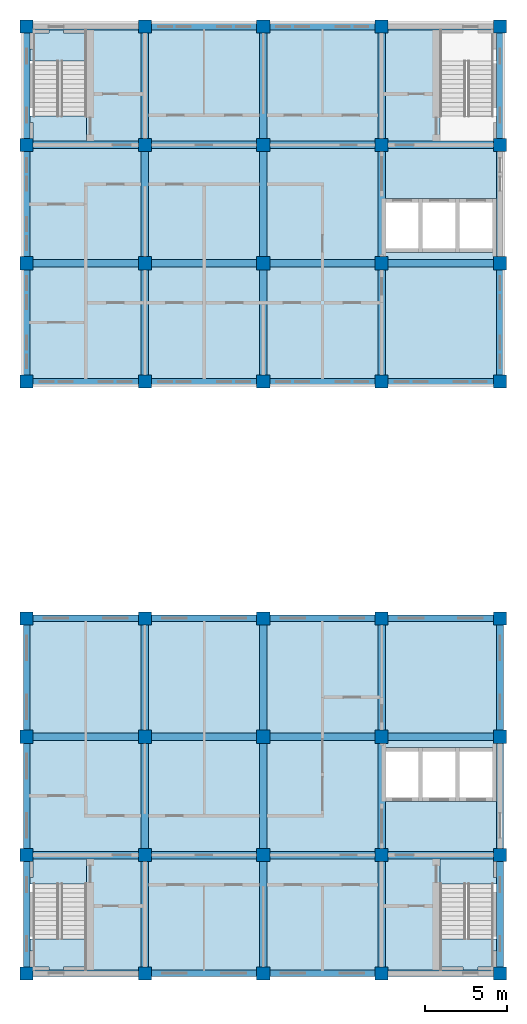
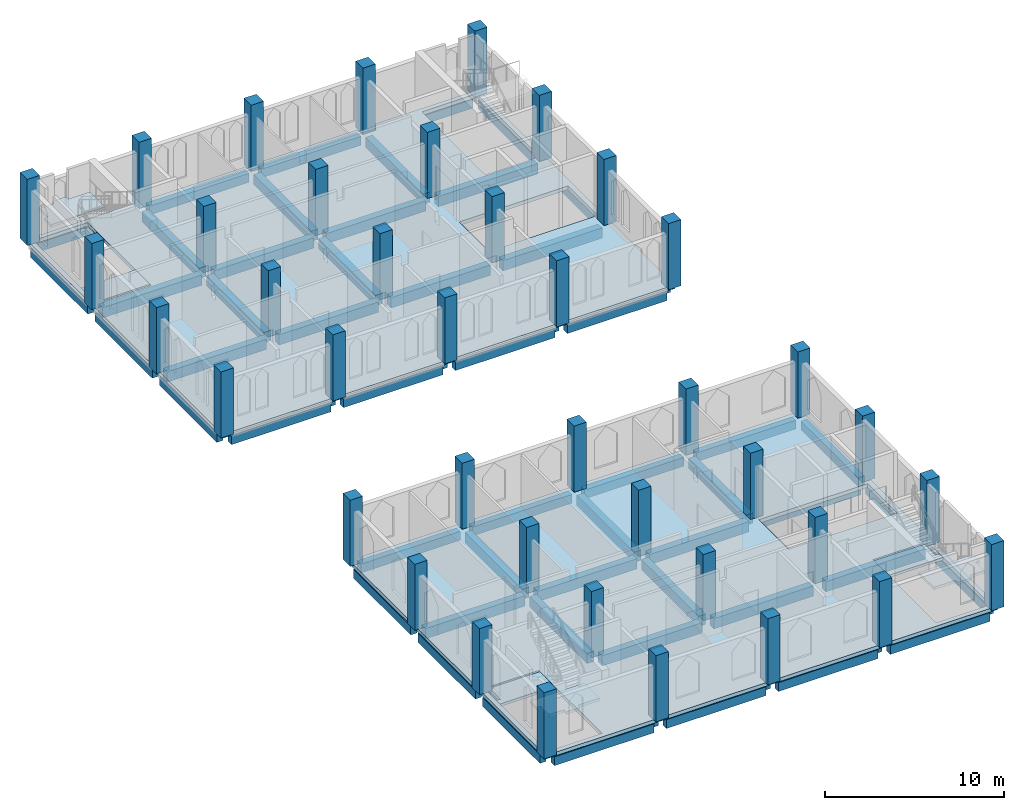
# One storey, part 1 of 11: 62 beams, 40 columns, 8 slabs, 3 elements without a shape of their own.
"""IFC4 building model written with IfcOpenShell, lengths in metres."""

from ifc_helpers import new_model, si_unit, direction, frame, origin, origin_2d, place, context, subcontext, project, spatial, polyline, rectangle, outline, extrude, material, layer, layer_set, material_profile, profile_set, type_object, element, aggregate, save


model = new_model("IFC4")

# Units and contexts
model_context = context("Model", 3, precision=1e-05, world=origin(), true_north=direction((0.0, 1.0)))
body_context = subcontext(model_context, "Body", "Model", "MODEL_VIEW")
ifc_project = project(units=[si_unit("LENGTHUNIT", "METRE"), si_unit("AREAUNIT", "SQUARE_METRE"), si_unit("VOLUMEUNIT", "CUBIC_METRE"), si_unit("PLANEANGLEUNIT", "RADIAN"), si_unit("MASSUNIT", "GRAM", prefix="KILO")], contexts=[model_context])

# Site, building, storey
site_placement = place(None, origin())
site = spatial("IfcSite", under=ifc_project, at=site_placement, CompositionType="ELEMENT")
building_placement = place(site_placement, origin())
building = spatial("IfcBuilding", under=site, at=building_placement, Name="Silangan Lancet Faculty of Sciences", CompositionType="ELEMENT")
storey_placement = place(building_placement, frame((0.0, 0.0, 45.300048828125)))
storey = spatial("IfcBuildingStorey", under=building, at=storey_placement, Name="L09", CompositionType="ELEMENT", Elevation=45.300048828125)

# Columns
ifc_material_1 = material(Name="Concrete C40/50", Category="concrete")
ifc_material_profile_1 = material_profile(ifc_material_1, rectangle(XDim=0.800048828125, YDim=0.800048828125, at=origin_2d()), Name="RC 800x800")
ifc_profile_set_1 = profile_set([ifc_material_profile_1], Name="Concrete C40/50")
column_type = type_object("IfcColumnType", Name="COLUMN RC 800x800", PredefinedType="COLUMN", material=ifc_profile_set_1)
for number, where, z_axis, x_axis, name in (
    (1, (0.0, 0.0, 0.0), (0.0, 0.0, 1.0), (1.0, 0.0, 0.0), "COL-L09-1A"),
    (2, (0.0, 7.199951171875, 0.0), (0.0, 0.0, 1.0), (1.0, 0.0, 0.0), "COL-L09-1B"),
    (3, (0.0, 14.39990234375, 0.0), (0.0, 0.0, 1.0), (1.0, 0.0, 0.0), "COL-L09-1C"),
    (4, (0.0, 21.60009765625, 0.0), (0.0, 0.0, 1.0), (1.0, 0.0, 0.0), "COL-L09-1D"),
    (5, (0.0, 36.0, 0.0), (0.0, 0.0, 1.0), (1.0, 0.0, 0.0), "COL-L09-1F"),
    (6, (0.0, 43.199951171875, 0.0), (0.0, 0.0, 1.0), (1.0, 0.0, 0.0), "COL-L09-1G"),
    (7, (0.0, 50.39990234375, 0.0), (0.0, 0.0, 1.0), (1.0, 0.0, 0.0), "COL-L09-1H"),
    (8, (0.0, 57.60009765625, 0.0), (0.0, 0.0, 1.0), (1.0, 0.0, 0.0), "COL-L09-1I"),
    (9, (7.199951171875, 0.0, 0.0), (0.0, 0.0, 1.0), (1.0, 0.0, 0.0), "COL-L09-2A"),
    (10, (7.199951171875, 7.199951171875, 0.0), (0.0, 0.0, 1.0), (1.0, 0.0, 0.0), "COL-L09-2B"),
    (11, (7.199951171875, 14.39990234375, 0.0), (0.0, 0.0, 1.0), (1.0, 0.0, 0.0), "COL-L09-2C"),
    (12, (7.199951171875, 21.60009765625, 0.0), (0.0, 0.0, 1.0), (1.0, 0.0, 0.0), "COL-L09-2D"),
    (13, (7.199951171875, 36.0, 0.0), (0.0, 0.0, 1.0), (1.0, 0.0, 0.0), "COL-L09-2F"),
    (14, (7.199951171875, 43.199951171875, 0.0), (0.0, 0.0, 1.0), (1.0, 0.0, 0.0), "COL-L09-2G"),
    (15, (7.199951171875, 50.39990234375, 0.0), (0.0, 0.0, 1.0), (1.0, 0.0, 0.0), "COL-L09-2H"),
    (16, (7.199951171875, 57.60009765625, 0.0), (0.0, 0.0, 1.0), (1.0, 0.0, 0.0), "COL-L09-2I"),
    (17, (14.39990234375, 0.0, 0.0), (0.0, 0.0, 1.0), (1.0, 0.0, 0.0), "COL-L09-3A"),
    (18, (14.39990234375, 7.199951171875, 0.0), (0.0, 0.0, 1.0), (1.0, 0.0, 0.0), "COL-L09-3B"),
    (19, (14.39990234375, 14.39990234375, 0.0), (0.0, 0.0, 1.0), (1.0, 0.0, 0.0), "COL-L09-3C"),
    (20, (14.39990234375, 21.60009765625, 0.0), (0.0, 0.0, 1.0), (1.0, 0.0, 0.0), "COL-L09-3D"),
    (21, (14.39990234375, 36.0, 0.0), (0.0, 0.0, 1.0), (1.0, 0.0, 0.0), "COL-L09-3F"),
    (22, (14.39990234375, 43.199951171875, 0.0), (0.0, 0.0, 1.0), (1.0, 0.0, 0.0), "COL-L09-3G"),
    (23, (14.39990234375, 50.39990234375, 0.0), (0.0, 0.0, 1.0), (1.0, 0.0, 0.0), "COL-L09-3H"),
    (24, (14.39990234375, 57.60009765625, 0.0), (0.0, 0.0, 1.0), (1.0, 0.0, 0.0), "COL-L09-3I"),
    (25, (21.60009765625, 0.0, 0.0), (0.0, 0.0, 1.0), (1.0, 0.0, 0.0), "COL-L09-4A"),
    (26, (21.60009765625, 7.199951171875, 0.0), (0.0, 0.0, 1.0), (1.0, 0.0, 0.0), "COL-L09-4B"),
    (27, (21.60009765625, 14.39990234375, 0.0), (0.0, 0.0, 1.0), (1.0, 0.0, 0.0), "COL-L09-4C"),
    (28, (21.60009765625, 21.60009765625, 0.0), (0.0, 0.0, 1.0), (1.0, 0.0, 0.0), "COL-L09-4D"),
    (29, (21.60009765625, 36.0, 0.0), (0.0, 0.0, 1.0), (1.0, 0.0, 0.0), "COL-L09-4F"),
    (30, (21.60009765625, 43.199951171875, 0.0), (0.0, 0.0, 1.0), (1.0, 0.0, 0.0), "COL-L09-4G"),
    (31, (21.60009765625, 50.39990234375, 0.0), (0.0, 0.0, 1.0), (1.0, 0.0, 0.0), "COL-L09-4H"),
    (32, (21.60009765625, 57.60009765625, 0.0), (0.0, 0.0, 1.0), (1.0, 0.0, 0.0), "COL-L09-4I"),
    (33, (28.800048828125, 0.0, 0.0), (0.0, 0.0, 1.0), (1.0, 0.0, 0.0), "COL-L09-5A"),
    (34, (28.800048828125, 7.199951171875, 0.0), (0.0, 0.0, 1.0), (1.0, 0.0, 0.0), "COL-L09-5B"),
    (35, (28.800048828125, 14.39990234375, 0.0), (0.0, 0.0, 1.0), (1.0, 0.0, 0.0), "COL-L09-5C"),
    (36, (28.800048828125, 21.60009765625, 0.0), (0.0, 0.0, 1.0), (1.0, 0.0, 0.0), "COL-L09-5D"),
    (37, (28.800048828125, 36.0, 0.0), (0.0, 0.0, 1.0), (1.0, 0.0, 0.0), "COL-L09-5F"),
    (38, (28.800048828125, 43.199951171875, 0.0), (0.0, 0.0, 1.0), (1.0, 0.0, 0.0), "COL-L09-5G"),
    (39, (28.800048828125, 50.39990234375, 0.0), (0.0, 0.0, 1.0), (1.0, 0.0, 0.0), "COL-L09-5H"),
    (40, (28.800048828125, 57.60009765625, 0.0), (0.0, 0.0, 1.0), (1.0, 0.0, 0.0), "COL-L09-5I"),
):
    element("IfcColumn", number, at=place(storey_placement, frame(where, z_axis=z_axis, x_axis=x_axis)), inside=storey, type_object=column_type, Name=name, PredefinedType="COLUMN", context=body_context, shape_type="SweptSolid", body=[
        extrude(rectangle(XDim=0.800048828125, YDim=0.800048828125, at=origin_2d()), origin(), (0.0, 0.0, 1.0), 4.5),
    ])

# Beams
ifc_material_2 = material(Name="Concrete C40/50", Category="concrete")
ifc_material_profile_2 = material_profile(ifc_material_2, rectangle(XDim=0.39990234375, YDim=0.60009765625, at=origin_2d()), Name="RC 400x600")
ifc_profile_set_2 = profile_set([ifc_material_profile_2], Name="Concrete C40/50")
beam_type_1 = type_object("IfcBeamType", Name="BEAM RC 400x600", PredefinedType="BEAM", material=ifc_profile_set_2)
beam_1_placement = place(storey_placement, frame((0.39990234375, 0.0, -0.550048828125), z_axis=(1.0, 0.0, 0.0), x_axis=(0.0, 1.0, 0.0)))
element("IfcBeam", 41, at=beam_1_placement, inside=storey, type_object=beam_type_1, Name="BM-L09-1A-2A", PredefinedType="BEAM", context=body_context, shape_type="SweptSolid", body=[
    extrude(rectangle(XDim=0.39990234375, YDim=0.60009765625, at=origin_2d()), origin(), (0.0, 0.0, 1.0), 6.400146484375),
])
for number, where, z_axis, x_axis, name in (
    (42, (7.60009765625, 0.0, -0.550048828125), (1.0, 0.0, 0.0), (0.0, 1.0, 0.0), "BM-L09-2A-3A"),
    (43, (14.800048828125, 0.0, -0.550048828125), (1.0, 0.0, 0.0), (0.0, 1.0, 0.0), "BM-L09-3A-4A"),
    (44, (22.0, 0.0, -0.550048828125), (1.0, 0.0, 0.0), (0.0, 1.0, 0.0), "BM-L09-4A-5A"),
):
    element("IfcBeam", number, at=place(storey_placement, frame(where, z_axis=z_axis, x_axis=x_axis)), inside=storey, type_object=beam_type_1, Name=name, PredefinedType="BEAM", context=body_context, shape_type="SweptSolid", body=[
        extrude(rectangle(XDim=0.39990234375, YDim=0.60009765625, at=origin_2d()), origin(), (0.0, 0.0, 1.0), 6.39990234375),
    ])
beam_2_placement = place(storey_placement, frame((0.39990234375, 21.60009765625, -0.550048828125), z_axis=(1.0, 0.0, 0.0), x_axis=(0.0, 1.0, 0.0)))
element("IfcBeam", 45, at=beam_2_placement, inside=storey, type_object=beam_type_1, Name="BM-L09-1D-2D", PredefinedType="BEAM", context=body_context, shape_type="SweptSolid", body=[
    extrude(rectangle(XDim=0.39990234375, YDim=0.60009765625, at=origin_2d()), origin(), (0.0, 0.0, 1.0), 6.400146484375),
])
for number, where, z_axis, x_axis, name in (
    (46, (7.60009765625, 21.60009765625, -0.550048828125), (1.0, 0.0, 0.0), (0.0, 1.0, 0.0), "BM-L09-2D-3D"),
    (47, (14.800048828125, 21.60009765625, -0.550048828125), (1.0, 0.0, 0.0), (0.0, 1.0, 0.0), "BM-L09-3D-4D"),
    (48, (22.0, 21.60009765625, -0.550048828125), (1.0, 0.0, 0.0), (0.0, 1.0, 0.0), "BM-L09-4D-5D"),
):
    element("IfcBeam", number, at=place(storey_placement, frame(where, z_axis=z_axis, x_axis=x_axis)), inside=storey, type_object=beam_type_1, Name=name, PredefinedType="BEAM", context=body_context, shape_type="SweptSolid", body=[
        extrude(rectangle(XDim=0.39990234375, YDim=0.60009765625, at=origin_2d()), origin(), (0.0, 0.0, 1.0), 6.39990234375),
    ])
beam_3_placement = place(storey_placement, frame((0.39990234375, 36.0, -0.550048828125), z_axis=(1.0, 0.0, 0.0), x_axis=(0.0, 1.0, 0.0)))
element("IfcBeam", 49, at=beam_3_placement, inside=storey, type_object=beam_type_1, Name="BM-L09-1F-2F", PredefinedType="BEAM", context=body_context, shape_type="SweptSolid", body=[
    extrude(rectangle(XDim=0.39990234375, YDim=0.60009765625, at=origin_2d()), origin(), (0.0, 0.0, 1.0), 6.400146484375),
])
for number, where, z_axis, x_axis, name in (
    (50, (7.60009765625, 36.0, -0.550048828125), (1.0, 0.0, 0.0), (0.0, 1.0, 0.0), "BM-L09-2F-3F"),
    (51, (14.800048828125, 36.0, -0.550048828125), (1.0, 0.0, 0.0), (0.0, 1.0, 0.0), "BM-L09-3F-4F"),
    (52, (22.0, 36.0, -0.550048828125), (1.0, 0.0, 0.0), (0.0, 1.0, 0.0), "BM-L09-4F-5F"),
):
    element("IfcBeam", number, at=place(storey_placement, frame(where, z_axis=z_axis, x_axis=x_axis)), inside=storey, type_object=beam_type_1, Name=name, PredefinedType="BEAM", context=body_context, shape_type="SweptSolid", body=[
        extrude(rectangle(XDim=0.39990234375, YDim=0.60009765625, at=origin_2d()), origin(), (0.0, 0.0, 1.0), 6.39990234375),
    ])
beam_4_placement = place(storey_placement, frame((0.39990234375, 57.60009765625, -0.550048828125), z_axis=(1.0, 0.0, 0.0), x_axis=(0.0, 1.0, 0.0)))
element("IfcBeam", 53, at=beam_4_placement, inside=storey, type_object=beam_type_1, Name="BM-L09-1I-2I", PredefinedType="BEAM", context=body_context, shape_type="SweptSolid", body=[
    extrude(rectangle(XDim=0.39990234375, YDim=0.60009765625, at=origin_2d()), origin(), (0.0, 0.0, 1.0), 6.400146484375),
])
for number, where, z_axis, x_axis, name in (
    (54, (7.60009765625, 57.60009765625, -0.550048828125), (1.0, 0.0, 0.0), (0.0, 1.0, 0.0), "BM-L09-2I-3I"),
    (55, (14.800048828125, 57.60009765625, -0.550048828125), (1.0, 0.0, 0.0), (0.0, 1.0, 0.0), "BM-L09-3I-4I"),
    (56, (22.0, 57.60009765625, -0.550048828125), (1.0, 0.0, 0.0), (0.0, 1.0, 0.0), "BM-L09-4I-5I"),
):
    element("IfcBeam", number, at=place(storey_placement, frame(where, z_axis=z_axis, x_axis=x_axis)), inside=storey, type_object=beam_type_1, Name=name, PredefinedType="BEAM", context=body_context, shape_type="SweptSolid", body=[
        extrude(rectangle(XDim=0.39990234375, YDim=0.60009765625, at=origin_2d()), origin(), (0.0, 0.0, 1.0), 6.39990234375),
    ])
beam_5_placement = place(storey_placement, frame((0.0, 0.39990234375, -0.550048828125), z_axis=(0.0, 1.0, 0.0), x_axis=(-1.0, 0.0, 0.0)))
element("IfcBeam", 57, at=beam_5_placement, inside=storey, type_object=beam_type_1, Name="BM-L09-1A-1B", PredefinedType="BEAM", context=body_context, shape_type="SweptSolid", body=[
    extrude(rectangle(XDim=0.39990234375, YDim=0.60009765625, at=origin_2d()), origin(), (0.0, 0.0, 1.0), 6.400146484375),
])
for number, where, z_axis, x_axis, name in (
    (58, (0.0, 7.60009765625, -0.550048828125), (0.0, 1.0, 0.0), (-1.0, 0.0, 0.0), "BM-L09-1B-1C"),
    (59, (0.0, 14.800048828125, -0.550048828125), (0.0, 1.0, 0.0), (-1.0, 0.0, 0.0), "BM-L09-1C-1D"),
):
    element("IfcBeam", number, at=place(storey_placement, frame(where, z_axis=z_axis, x_axis=x_axis)), inside=storey, type_object=beam_type_1, Name=name, PredefinedType="BEAM", context=body_context, shape_type="SweptSolid", body=[
        extrude(rectangle(XDim=0.39990234375, YDim=0.60009765625, at=origin_2d()), origin(), (0.0, 0.0, 1.0), 6.39990234375),
    ])
beam_6_placement = place(storey_placement, frame((0.0, 36.39990234375, -0.550048828125), z_axis=(0.0, 1.0, 0.0), x_axis=(-1.0, 0.0, 0.0)))
element("IfcBeam", 60, at=beam_6_placement, inside=storey, type_object=beam_type_1, Name="BM-L09-1F-1G", PredefinedType="BEAM", context=body_context, shape_type="SweptSolid", body=[
    extrude(rectangle(XDim=0.39990234375, YDim=0.60009765625, at=origin_2d()), origin(), (0.0, 0.0, 1.0), 6.400146484375),
])
for number, where, z_axis, x_axis, name in (
    (61, (0.0, 43.60009765625, -0.550048828125), (0.0, 1.0, 0.0), (-1.0, 0.0, 0.0), "BM-L09-1G-1H"),
    (62, (0.0, 50.800048828125, -0.550048828125), (0.0, 1.0, 0.0), (-1.0, 0.0, 0.0), "BM-L09-1H-1I"),
):
    element("IfcBeam", number, at=place(storey_placement, frame(where, z_axis=z_axis, x_axis=x_axis)), inside=storey, type_object=beam_type_1, Name=name, PredefinedType="BEAM", context=body_context, shape_type="SweptSolid", body=[
        extrude(rectangle(XDim=0.39990234375, YDim=0.60009765625, at=origin_2d()), origin(), (0.0, 0.0, 1.0), 6.39990234375),
    ])
beam_7_placement = place(storey_placement, frame((28.800048828125, 0.39990234375, -0.550048828125), z_axis=(0.0, 1.0, 0.0), x_axis=(-1.0, 0.0, 0.0)))
element("IfcBeam", 63, at=beam_7_placement, inside=storey, type_object=beam_type_1, Name="BM-L09-5A-5B", PredefinedType="BEAM", context=body_context, shape_type="SweptSolid", body=[
    extrude(rectangle(XDim=0.39990234375, YDim=0.60009765625, at=origin_2d()), origin(), (0.0, 0.0, 1.0), 6.400146484375),
])
for number, where, z_axis, x_axis, name in (
    (64, (28.800048828125, 7.60009765625, -0.550048828125), (0.0, 1.0, 0.0), (-1.0, 0.0, 0.0), "BM-L09-5B-5C"),
    (65, (28.800048828125, 14.800048828125, -0.550048828125), (0.0, 1.0, 0.0), (-1.0, 0.0, 0.0), "BM-L09-5C-5D"),
):
    element("IfcBeam", number, at=place(storey_placement, frame(where, z_axis=z_axis, x_axis=x_axis)), inside=storey, type_object=beam_type_1, Name=name, PredefinedType="BEAM", context=body_context, shape_type="SweptSolid", body=[
        extrude(rectangle(XDim=0.39990234375, YDim=0.60009765625, at=origin_2d()), origin(), (0.0, 0.0, 1.0), 6.39990234375),
    ])
beam_8_placement = place(storey_placement, frame((28.800048828125, 36.39990234375, -0.550048828125), z_axis=(0.0, 1.0, 0.0), x_axis=(-1.0, 0.0, 0.0)))
element("IfcBeam", 66, at=beam_8_placement, inside=storey, type_object=beam_type_1, Name="BM-L09-5F-5G", PredefinedType="BEAM", context=body_context, shape_type="SweptSolid", body=[
    extrude(rectangle(XDim=0.39990234375, YDim=0.60009765625, at=origin_2d()), origin(), (0.0, 0.0, 1.0), 6.400146484375),
])
for number, where, z_axis, x_axis, name in (
    (67, (28.800048828125, 43.60009765625, -0.550048828125), (0.0, 1.0, 0.0), (-1.0, 0.0, 0.0), "BM-L09-5G-5H"),
    (68, (28.800048828125, 50.800048828125, -0.550048828125), (0.0, 1.0, 0.0), (-1.0, 0.0, 0.0), "BM-L09-5H-5I"),
):
    element("IfcBeam", number, at=place(storey_placement, frame(where, z_axis=z_axis, x_axis=x_axis)), inside=storey, type_object=beam_type_1, Name=name, PredefinedType="BEAM", context=body_context, shape_type="SweptSolid", body=[
        extrude(rectangle(XDim=0.39990234375, YDim=0.60009765625, at=origin_2d()), origin(), (0.0, 0.0, 1.0), 6.39990234375),
    ])
ifc_material_3 = material(Name="Concrete C40/50", Category="concrete")
ifc_material_profile_3 = material_profile(ifc_material_3, rectangle(XDim=0.449951171875, YDim=0.699951171875, at=origin_2d()), Name="RC 450x700")
ifc_profile_set_3 = profile_set([ifc_material_profile_3], Name="Concrete C40/50")
beam_type_2 = type_object("IfcBeamType", Name="BEAM RC 450x700", PredefinedType="BEAM", material=ifc_profile_set_3)
beam_9_placement = place(storey_placement, frame((0.39990234375, 7.199951171875, -0.60009765625), z_axis=(1.0, 0.0, 0.0), x_axis=(0.0, 1.0, 0.0)))
element("IfcBeam", 69, at=beam_9_placement, inside=storey, type_object=beam_type_2, Name="BM-L09-1B-2B", PredefinedType="BEAM", context=body_context, shape_type="SweptSolid", body=[
    extrude(rectangle(XDim=0.449951171875, YDim=0.699951171875, at=origin_2d()), origin(), (0.0, 0.0, 1.0), 6.400146484375),
])
for number, where, z_axis, x_axis, name in (
    (70, (7.60009765625, 7.199951171875, -0.60009765625), (1.0, 0.0, 0.0), (0.0, 1.0, 0.0), "BM-L09-2B-3B"),
    (71, (14.800048828125, 7.199951171875, -0.60009765625), (1.0, 0.0, 0.0), (0.0, 1.0, 0.0), "BM-L09-3B-4B"),
    (72, (22.0, 7.199951171875, -0.60009765625), (1.0, 0.0, 0.0), (0.0, 1.0, 0.0), "BM-L09-4B-5B"),
):
    element("IfcBeam", number, at=place(storey_placement, frame(where, z_axis=z_axis, x_axis=x_axis)), inside=storey, type_object=beam_type_2, Name=name, PredefinedType="BEAM", context=body_context, shape_type="SweptSolid", body=[
        extrude(rectangle(XDim=0.449951171875, YDim=0.699951171875, at=origin_2d()), origin(), (0.0, 0.0, 1.0), 6.39990234375),
    ])
beam_10_placement = place(storey_placement, frame((0.39990234375, 14.39990234375, -0.60009765625), z_axis=(1.0, 0.0, 0.0), x_axis=(0.0, 1.0, 0.0)))
element("IfcBeam", 73, at=beam_10_placement, inside=storey, type_object=beam_type_2, Name="BM-L09-1C-2C", PredefinedType="BEAM", context=body_context, shape_type="SweptSolid", body=[
    extrude(rectangle(XDim=0.449951171875, YDim=0.699951171875, at=origin_2d()), origin(), (0.0, 0.0, 1.0), 6.400146484375),
])
for number, where, z_axis, x_axis, name in (
    (74, (7.60009765625, 14.39990234375, -0.60009765625), (1.0, 0.0, 0.0), (0.0, 1.0, 0.0), "BM-L09-2C-3C"),
    (75, (14.800048828125, 14.39990234375, -0.60009765625), (1.0, 0.0, 0.0), (0.0, 1.0, 0.0), "BM-L09-3C-4C"),
    (76, (22.0, 14.39990234375, -0.60009765625), (1.0, 0.0, 0.0), (0.0, 1.0, 0.0), "BM-L09-4C-5C"),
):
    element("IfcBeam", number, at=place(storey_placement, frame(where, z_axis=z_axis, x_axis=x_axis)), inside=storey, type_object=beam_type_2, Name=name, PredefinedType="BEAM", context=body_context, shape_type="SweptSolid", body=[
        extrude(rectangle(XDim=0.449951171875, YDim=0.699951171875, at=origin_2d()), origin(), (0.0, 0.0, 1.0), 6.39990234375),
    ])
beam_11_placement = place(storey_placement, frame((0.39990234375, 43.199951171875, -0.60009765625), z_axis=(1.0, 0.0, 0.0), x_axis=(0.0, 1.0, 0.0)))
element("IfcBeam", 77, at=beam_11_placement, inside=storey, type_object=beam_type_2, Name="BM-L09-1G-2G", PredefinedType="BEAM", context=body_context, shape_type="SweptSolid", body=[
    extrude(rectangle(XDim=0.449951171875, YDim=0.699951171875, at=origin_2d()), origin(), (0.0, 0.0, 1.0), 6.400146484375),
])
for number, where, z_axis, x_axis, name in (
    (78, (7.60009765625, 43.199951171875, -0.60009765625), (1.0, 0.0, 0.0), (0.0, 1.0, 0.0), "BM-L09-2G-3G"),
    (79, (14.800048828125, 43.199951171875, -0.60009765625), (1.0, 0.0, 0.0), (0.0, 1.0, 0.0), "BM-L09-3G-4G"),
    (80, (22.0, 43.199951171875, -0.60009765625), (1.0, 0.0, 0.0), (0.0, 1.0, 0.0), "BM-L09-4G-5G"),
):
    element("IfcBeam", number, at=place(storey_placement, frame(where, z_axis=z_axis, x_axis=x_axis)), inside=storey, type_object=beam_type_2, Name=name, PredefinedType="BEAM", context=body_context, shape_type="SweptSolid", body=[
        extrude(rectangle(XDim=0.449951171875, YDim=0.699951171875, at=origin_2d()), origin(), (0.0, 0.0, 1.0), 6.39990234375),
    ])
beam_12_placement = place(storey_placement, frame((0.39990234375, 50.39990234375, -0.60009765625), z_axis=(1.0, 0.0, 0.0), x_axis=(0.0, 1.0, 0.0)))
element("IfcBeam", 81, at=beam_12_placement, inside=storey, type_object=beam_type_2, Name="BM-L09-1H-2H", PredefinedType="BEAM", context=body_context, shape_type="SweptSolid", body=[
    extrude(rectangle(XDim=0.449951171875, YDim=0.699951171875, at=origin_2d()), origin(), (0.0, 0.0, 1.0), 6.400146484375),
])
for number, where, z_axis, x_axis, name in (
    (82, (7.60009765625, 50.39990234375, -0.60009765625), (1.0, 0.0, 0.0), (0.0, 1.0, 0.0), "BM-L09-2H-3H"),
    (83, (14.800048828125, 50.39990234375, -0.60009765625), (1.0, 0.0, 0.0), (0.0, 1.0, 0.0), "BM-L09-3H-4H"),
    (84, (22.0, 50.39990234375, -0.60009765625), (1.0, 0.0, 0.0), (0.0, 1.0, 0.0), "BM-L09-4H-5H"),
):
    element("IfcBeam", number, at=place(storey_placement, frame(where, z_axis=z_axis, x_axis=x_axis)), inside=storey, type_object=beam_type_2, Name=name, PredefinedType="BEAM", context=body_context, shape_type="SweptSolid", body=[
        extrude(rectangle(XDim=0.449951171875, YDim=0.699951171875, at=origin_2d()), origin(), (0.0, 0.0, 1.0), 6.39990234375),
    ])
beam_13_placement = place(storey_placement, frame((7.199951171875, 0.39990234375, -0.60009765625), z_axis=(0.0, 1.0, 0.0), x_axis=(-1.0, 0.0, 0.0)))
element("IfcBeam", 85, at=beam_13_placement, inside=storey, type_object=beam_type_2, Name="BM-L09-2A-2B", PredefinedType="BEAM", context=body_context, shape_type="SweptSolid", body=[
    extrude(rectangle(XDim=0.449951171875, YDim=0.699951171875, at=origin_2d()), origin(), (0.0, 0.0, 1.0), 6.400146484375),
])
for number, where, z_axis, x_axis, name in (
    (86, (7.199951171875, 7.60009765625, -0.60009765625), (0.0, 1.0, 0.0), (-1.0, 0.0, 0.0), "BM-L09-2B-2C"),
    (87, (7.199951171875, 14.800048828125, -0.60009765625), (0.0, 1.0, 0.0), (-1.0, 0.0, 0.0), "BM-L09-2C-2D"),
):
    element("IfcBeam", number, at=place(storey_placement, frame(where, z_axis=z_axis, x_axis=x_axis)), inside=storey, type_object=beam_type_2, Name=name, PredefinedType="BEAM", context=body_context, shape_type="SweptSolid", body=[
        extrude(rectangle(XDim=0.449951171875, YDim=0.699951171875, at=origin_2d()), origin(), (0.0, 0.0, 1.0), 6.39990234375),
    ])
beam_14_placement = place(storey_placement, frame((7.199951171875, 36.39990234375, -0.60009765625), z_axis=(0.0, 1.0, 0.0), x_axis=(-1.0, 0.0, 0.0)))
element("IfcBeam", 88, at=beam_14_placement, inside=storey, type_object=beam_type_2, Name="BM-L09-2F-2G", PredefinedType="BEAM", context=body_context, shape_type="SweptSolid", body=[
    extrude(rectangle(XDim=0.449951171875, YDim=0.699951171875, at=origin_2d()), origin(), (0.0, 0.0, 1.0), 6.400146484375),
])
for number, where, z_axis, x_axis, name in (
    (89, (7.199951171875, 43.60009765625, -0.60009765625), (0.0, 1.0, 0.0), (-1.0, 0.0, 0.0), "BM-L09-2G-2H"),
    (90, (7.199951171875, 50.800048828125, -0.60009765625), (0.0, 1.0, 0.0), (-1.0, 0.0, 0.0), "BM-L09-2H-2I"),
):
    element("IfcBeam", number, at=place(storey_placement, frame(where, z_axis=z_axis, x_axis=x_axis)), inside=storey, type_object=beam_type_2, Name=name, PredefinedType="BEAM", context=body_context, shape_type="SweptSolid", body=[
        extrude(rectangle(XDim=0.449951171875, YDim=0.699951171875, at=origin_2d()), origin(), (0.0, 0.0, 1.0), 6.39990234375),
    ])
beam_15_placement = place(storey_placement, frame((14.39990234375, 0.39990234375, -0.60009765625), z_axis=(0.0, 1.0, 0.0), x_axis=(-1.0, 0.0, 0.0)))
element("IfcBeam", 91, at=beam_15_placement, inside=storey, type_object=beam_type_2, Name="BM-L09-3A-3B", PredefinedType="BEAM", context=body_context, shape_type="SweptSolid", body=[
    extrude(rectangle(XDim=0.449951171875, YDim=0.699951171875, at=origin_2d()), origin(), (0.0, 0.0, 1.0), 6.400146484375),
])
for number, where, z_axis, x_axis, name in (
    (92, (14.39990234375, 7.60009765625, -0.60009765625), (0.0, 1.0, 0.0), (-1.0, 0.0, 0.0), "BM-L09-3B-3C"),
    (93, (14.39990234375, 14.800048828125, -0.60009765625), (0.0, 1.0, 0.0), (-1.0, 0.0, 0.0), "BM-L09-3C-3D"),
):
    element("IfcBeam", number, at=place(storey_placement, frame(where, z_axis=z_axis, x_axis=x_axis)), inside=storey, type_object=beam_type_2, Name=name, PredefinedType="BEAM", context=body_context, shape_type="SweptSolid", body=[
        extrude(rectangle(XDim=0.449951171875, YDim=0.699951171875, at=origin_2d()), origin(), (0.0, 0.0, 1.0), 6.39990234375),
    ])
beam_16_placement = place(storey_placement, frame((14.39990234375, 36.39990234375, -0.60009765625), z_axis=(0.0, 1.0, 0.0), x_axis=(-1.0, 0.0, 0.0)))
element("IfcBeam", 94, at=beam_16_placement, inside=storey, type_object=beam_type_2, Name="BM-L09-3F-3G", PredefinedType="BEAM", context=body_context, shape_type="SweptSolid", body=[
    extrude(rectangle(XDim=0.449951171875, YDim=0.699951171875, at=origin_2d()), origin(), (0.0, 0.0, 1.0), 6.400146484375),
])
for number, where, z_axis, x_axis, name in (
    (95, (14.39990234375, 43.60009765625, -0.60009765625), (0.0, 1.0, 0.0), (-1.0, 0.0, 0.0), "BM-L09-3G-3H"),
    (96, (14.39990234375, 50.800048828125, -0.60009765625), (0.0, 1.0, 0.0), (-1.0, 0.0, 0.0), "BM-L09-3H-3I"),
):
    element("IfcBeam", number, at=place(storey_placement, frame(where, z_axis=z_axis, x_axis=x_axis)), inside=storey, type_object=beam_type_2, Name=name, PredefinedType="BEAM", context=body_context, shape_type="SweptSolid", body=[
        extrude(rectangle(XDim=0.449951171875, YDim=0.699951171875, at=origin_2d()), origin(), (0.0, 0.0, 1.0), 6.39990234375),
    ])
beam_17_placement = place(storey_placement, frame((21.60009765625, 0.39990234375, -0.60009765625), z_axis=(0.0, 1.0, 0.0), x_axis=(-1.0, 0.0, 0.0)))
element("IfcBeam", 97, at=beam_17_placement, inside=storey, type_object=beam_type_2, Name="BM-L09-4A-4B", PredefinedType="BEAM", context=body_context, shape_type="SweptSolid", body=[
    extrude(rectangle(XDim=0.449951171875, YDim=0.699951171875, at=origin_2d()), origin(), (0.0, 0.0, 1.0), 6.400146484375),
])
for number, where, z_axis, x_axis, name in (
    (98, (21.60009765625, 7.60009765625, -0.60009765625), (0.0, 1.0, 0.0), (-1.0, 0.0, 0.0), "BM-L09-4B-4C"),
    (99, (21.60009765625, 14.800048828125, -0.60009765625), (0.0, 1.0, 0.0), (-1.0, 0.0, 0.0), "BM-L09-4C-4D"),
):
    element("IfcBeam", number, at=place(storey_placement, frame(where, z_axis=z_axis, x_axis=x_axis)), inside=storey, type_object=beam_type_2, Name=name, PredefinedType="BEAM", context=body_context, shape_type="SweptSolid", body=[
        extrude(rectangle(XDim=0.449951171875, YDim=0.699951171875, at=origin_2d()), origin(), (0.0, 0.0, 1.0), 6.39990234375),
    ])
beam_18_placement = place(storey_placement, frame((21.60009765625, 36.39990234375, -0.60009765625), z_axis=(0.0, 1.0, 0.0), x_axis=(-1.0, 0.0, 0.0)))
element("IfcBeam", 100, at=beam_18_placement, inside=storey, type_object=beam_type_2, Name="BM-L09-4F-4G", PredefinedType="BEAM", context=body_context, shape_type="SweptSolid", body=[
    extrude(rectangle(XDim=0.449951171875, YDim=0.699951171875, at=origin_2d()), origin(), (0.0, 0.0, 1.0), 6.400146484375),
])
for number, where, z_axis, x_axis, name in (
    (101, (21.60009765625, 43.60009765625, -0.60009765625), (0.0, 1.0, 0.0), (-1.0, 0.0, 0.0), "BM-L09-4G-4H"),
    (102, (21.60009765625, 50.800048828125, -0.60009765625), (0.0, 1.0, 0.0), (-1.0, 0.0, 0.0), "BM-L09-4H-4I"),
):
    element("IfcBeam", number, at=place(storey_placement, frame(where, z_axis=z_axis, x_axis=x_axis)), inside=storey, type_object=beam_type_2, Name=name, PredefinedType="BEAM", context=body_context, shape_type="SweptSolid", body=[
        extrude(rectangle(XDim=0.449951171875, YDim=0.699951171875, at=origin_2d()), origin(), (0.0, 0.0, 1.0), 6.39990234375),
    ])

# Slabs
ifc_material_4 = material(Name="Concrete C35/45", Category="concrete")
ifc_layer_1 = layer(ifc_material_4, 0.25)
ifc_layer_set_1 = layer_set([ifc_layer_1], Name="Concrete C35/45")
slab_type_1 = type_object("IfcSlabType", Name="SLAB FLOOR 250", PredefinedType="FLOOR", material=ifc_layer_set_1)
slab_1_placement = place(storey_placement, frame((0.0, 0.0, -0.25)))
element("IfcSlab", 103, at=slab_1_placement, inside=storey, type_object=slab_type_1, Name="SLAB-L09-ST", PredefinedType="FLOOR", context=body_context, shape_type="SweptSolid", body=[
    extrude(outline(polyline([(-0.14990234375, 21.75), (-0.14990234375, -0.14990234375), (28.949951171875, -0.14990234375), (28.949951171875, 21.75), (-0.14990234375, 21.75)]), holes=[polyline([(0.14990234375, 0.14990234375), (0.14990234375, 7.199951171875), (3.64990234375, 7.199951171875), (3.64990234375, 0.14990234375), (0.14990234375, 0.14990234375)]), polyline([(25.14990234375, 7.199951171875), (28.64990234375, 7.199951171875), (28.64990234375, 0.14990234375), (25.14990234375, 0.14990234375), (25.14990234375, 7.199951171875)]), polyline([(21.60009765625, 13.75), (28.60009765625, 13.75), (28.60009765625, 10.449951171875), (21.60009765625, 10.449951171875), (21.60009765625, 13.75)])]), origin(), (0.0, 0.0, 1.0), 0.25),
])
slab_2_placement = place(storey_placement, frame((0.0, 0.0, -0.25)))
element("IfcSlab", 104, at=slab_2_placement, inside=storey, type_object=slab_type_1, Name="SLAB-L09-NT", PredefinedType="FLOOR", context=body_context, shape_type="SweptSolid", body=[
    extrude(outline(polyline([(-0.14990234375, 35.85009765625), (28.949951171875, 35.85009765625), (28.949951171875, 57.75), (-0.14990234375, 57.75), (-0.14990234375, 35.85009765625)]), holes=[polyline([(21.60009765625, 43.85009765625), (21.60009765625, 47.14990234375), (28.60009765625, 47.14990234375), (28.60009765625, 43.85009765625), (21.60009765625, 43.85009765625)]), polyline([(0.14990234375, 57.449951171875), (3.64990234375, 57.449951171875), (3.64990234375, 50.39990234375), (0.14990234375, 50.39990234375), (0.14990234375, 57.449951171875)]), polyline([(25.14990234375, 57.449951171875), (28.64990234375, 57.449951171875), (28.64990234375, 50.39990234375), (25.14990234375, 50.39990234375), (25.14990234375, 57.449951171875)])]), origin(), (0.0, 0.0, 1.0), 0.25),
])

# Stair, slabs
ifc_material_5 = material(Name="Concrete C40/50", Category="concrete")
stair_type = type_object("IfcStairType", Name="TURRET STAIR 1550 TWO-FLIGHT", PredefinedType="HALF_TURN_STAIR", material=ifc_material_5)
stair_1_placement = place(storey_placement, origin())
stair_1 = element("IfcStair", 105, at=stair_1_placement, inside=storey, type_object=stair_type, Name="NT-A stair L09", PredefinedType="HALF_TURN_STAIR")
ifc_material_6 = material(Name="Concrete C40/50", Category="concrete")
ifc_layer_2 = layer(ifc_material_6, 0.179931640625)
ifc_layer_set_2 = layer_set([ifc_layer_2], Name="Concrete C40/50")
slab_type_2 = type_object("IfcSlabType", Name="TURRET STAIR LANDING RC 180", PredefinedType="LANDING", material=ifc_layer_set_2)
slab_3_placement = place(storey_placement, frame((0.0, 0.0, -0.179931640625)))
slab_3 = element("IfcSlab", 106, at=slab_3_placement, type_object=slab_type_2, Name="STR3 landing 1", PredefinedType="LANDING", context=body_context, shape_type="SweptSolid", body=[
    extrude(outline(polyline([(0.14990234375, 52.14990234375), (3.64990234375, 52.14990234375), (3.64990234375, 50.52490234375), (0.39990234375, 50.52490234375), (0.39990234375, 51.75), (0.14990234375, 51.75), (0.14990234375, 52.14990234375)])), origin(), (0.0, 0.0, 1.0), 0.179931640625),
])
slab_4_placement = place(storey_placement, frame((0.0, 0.0, 2.070068359375)))
slab_4 = element("IfcSlab", 107, at=slab_4_placement, type_object=slab_type_2, Name="STR3 landing 2", PredefinedType="LANDING", context=body_context, shape_type="SweptSolid", body=[
    extrude(outline(polyline([(0.14990234375, 55.510009765625), (0.14990234375, 56.25), (0.39990234375, 56.25), (0.39990234375, 57.199951171875), (1.35009765625, 57.199951171875), (1.35009765625, 57.449951171875), (2.25, 57.449951171875), (2.25, 57.199951171875), (3.64990234375, 57.199951171875), (3.64990234375, 55.510009765625), (0.14990234375, 55.510009765625)])), origin(), (0.0, 0.0, 1.0), 0.179931640625),
])
aggregate(stair_1, [slab_3, slab_4])

stair_2_placement = place(storey_placement, origin())
stair_2 = element("IfcStair", 108, at=stair_2_placement, inside=storey, type_object=stair_type, Name="ST-A stair L09", PredefinedType="HALF_TURN_STAIR")
slab_5_placement = place(storey_placement, frame((0.0, 0.0, -0.179931640625)))
slab_5 = element("IfcSlab", 109, at=slab_5_placement, type_object=slab_type_2, Name="STR1 landing 1", PredefinedType="LANDING", context=body_context, shape_type="SweptSolid", body=[
    extrude(outline(polyline([(3.64990234375, 5.449951171875), (0.14990234375, 5.449951171875), (0.14990234375, 5.85009765625), (0.39990234375, 5.85009765625), (0.39990234375, 7.074951171875), (3.64990234375, 7.074951171875), (3.64990234375, 5.449951171875)])), origin(), (0.0, 0.0, 1.0), 0.179931640625),
])
slab_6_placement = place(storey_placement, frame((0.0, 0.0, 2.070068359375)))
slab_6 = element("IfcSlab", 110, at=slab_6_placement, type_object=slab_type_2, Name="STR1 landing 2", PredefinedType="LANDING", context=body_context, shape_type="SweptSolid", body=[
    extrude(outline(polyline([(0.14990234375, 2.090087890625), (3.64990234375, 2.090087890625), (3.64990234375, 0.39990234375), (2.25, 0.39990234375), (2.25, 0.14990234375), (1.35009765625, 0.14990234375), (1.35009765625, 0.39990234375), (0.39990234375, 0.39990234375), (0.39990234375, 1.35009765625), (0.14990234375, 1.35009765625), (0.14990234375, 2.090087890625)])), origin(), (0.0, 0.0, 1.0), 0.179931640625),
])
aggregate(stair_2, [slab_5, slab_6])

stair_3_placement = place(storey_placement, origin())
stair_3 = element("IfcStair", 111, at=stair_3_placement, inside=storey, type_object=stair_type, Name="ST-B stair L09", PredefinedType="HALF_TURN_STAIR")
slab_7_placement = place(storey_placement, frame((0.0, 0.0, -0.179931640625)))
slab_7 = element("IfcSlab", 112, at=slab_7_placement, type_object=slab_type_2, Name="STR2 landing 1", PredefinedType="LANDING", context=body_context, shape_type="SweptSolid", body=[
    extrude(outline(polyline([(28.39990234375, 5.85009765625), (28.64990234375, 5.85009765625), (28.64990234375, 5.449951171875), (25.14990234375, 5.449951171875), (25.14990234375, 7.074951171875), (28.39990234375, 7.074951171875), (28.39990234375, 5.85009765625)])), origin(), (0.0, 0.0, 1.0), 0.179931640625),
])
slab_8_placement = place(storey_placement, frame((0.0, 0.0, 2.070068359375)))
slab_8 = element("IfcSlab", 113, at=slab_8_placement, type_object=slab_type_2, Name="STR2 landing 2", PredefinedType="LANDING", context=body_context, shape_type="SweptSolid", body=[
    extrude(outline(polyline([(26.550048828125, 0.14990234375), (26.550048828125, 0.39990234375), (25.14990234375, 0.39990234375), (25.14990234375, 2.090087890625), (28.64990234375, 2.090087890625), (28.64990234375, 1.35009765625), (28.39990234375, 1.35009765625), (28.39990234375, 0.39990234375), (27.449951171875, 0.39990234375), (27.449951171875, 0.14990234375), (26.550048828125, 0.14990234375)])), origin(), (0.0, 0.0, 1.0), 0.179931640625),
])
aggregate(stair_3, [slab_7, slab_8])

save(model, "model.ifc")
